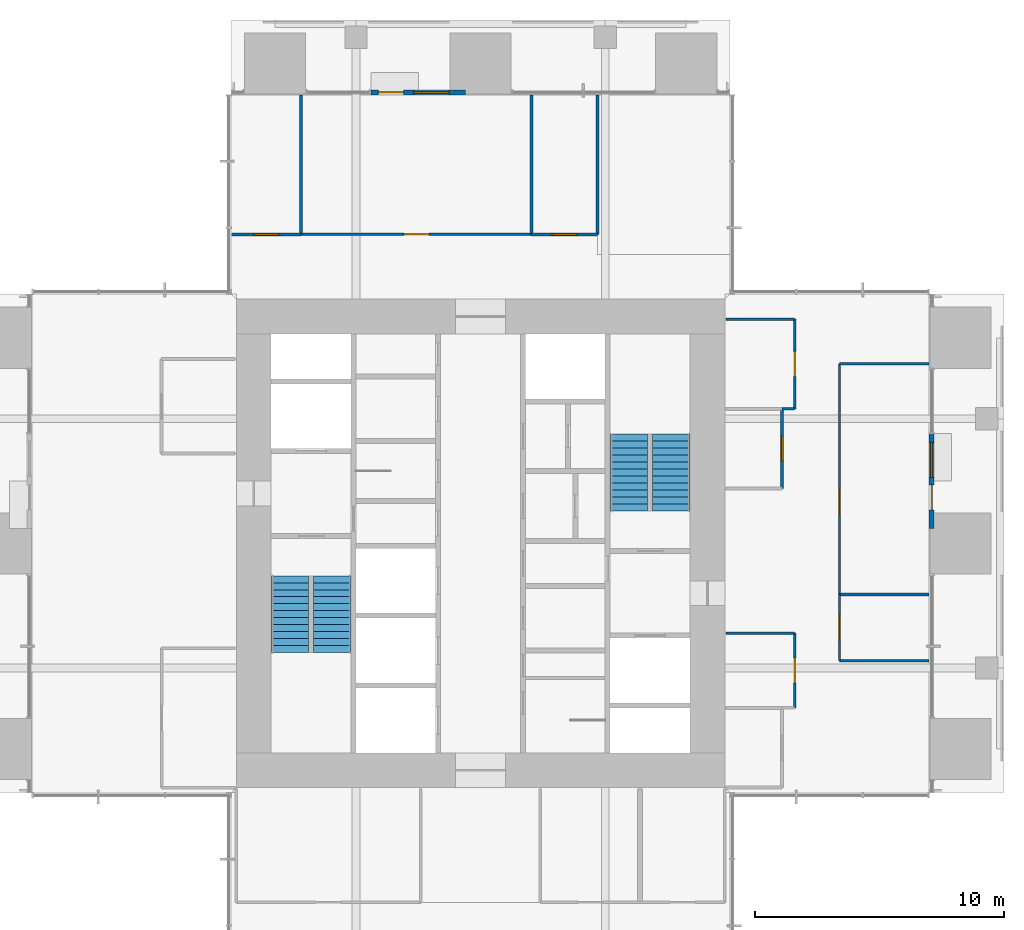
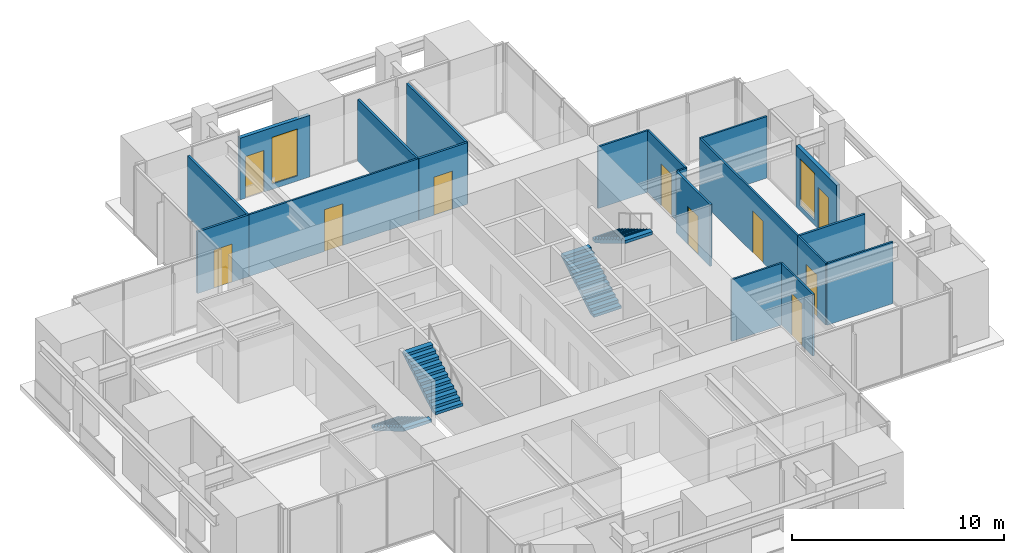
# One storey, part 14 of 17: 19 walls, 10 doors, 4 stair flights, 2 windows, 12 openings, 2 elements without a shape of their own.
"""IFC4 building model written with IfcOpenShell, lengths in metres."""

from ifc_helpers import new_model, si_unit, direction, frame, frame_2d, origin, place, context, subcontext, project, spatial, polyline, rectangle, outline, extrude, material, layer, layer_set, type_object, element, fill, aggregate, save


model = new_model("IFC4")

# Units and contexts
model_context = context("Model", 3, precision=1e-05, world=origin(), true_north=direction((0.0, 1.0)))
body_context = subcontext(model_context, "Body", "Model", "MODEL_VIEW")
ifc_project = project(units=[si_unit("LENGTHUNIT", "METRE"), si_unit("AREAUNIT", "SQUARE_METRE"), si_unit("VOLUMEUNIT", "CUBIC_METRE"), si_unit("PLANEANGLEUNIT", "RADIAN"), si_unit("MASSUNIT", "GRAM", prefix="KILO")], contexts=[model_context])

# Site, building, storey
site_placement = place(None, origin())
site = spatial("IfcSite", under=ifc_project, at=site_placement, CompositionType="ELEMENT")
building_placement = place(site_placement, origin())
building = spatial("IfcBuilding", under=site, at=building_placement, Name="Svetlomir Tower", CompositionType="ELEMENT")
storey_placement = place(building_placement, frame((0.0, 0.0, 230.5)))
storey = spatial("IfcBuildingStorey", under=building, at=storey_placement, Name="L55", CompositionType="ELEMENT", Elevation=230.5)

# Wall, openings, door, window
ifc_material_1 = material(Name="Bronze anodised aluminium glazed screen", Category="aluminium")
ifc_layer_1 = layer(ifc_material_1, 0.199951171875)
ifc_layer_set_1 = layer_set([ifc_layer_1], Name="Bronze anodised aluminium glazed screen")
wall_type_1 = type_object("IfcWallType", Name="BALCONY SCREEN WALL 200", PredefinedType="USERDEFINED", material=ifc_layer_set_1)
wall_1_placement = place(storey_placement, frame((39.10009765625, 21.60009765625, 0.0), z_axis=(0.0, 0.0, 1.0), x_axis=(0.0, 1.0, 0.0)))
wall_1 = element("IfcWall", 1, at=wall_1_placement, inside=storey, type_object=wall_type_1, Name="Balcony screen E", ObjectType="GLAZED SCREEN", PredefinedType="USERDEFINED", context=body_context, shape_type="SweptSolid", body=[
    extrude(rectangle(XDim=3.7998046875, YDim=0.199951171875, at=frame_2d((1.89990234375, 0.0))), origin(), (0.0, 0.0, 1.0), 3.550048828125),
])
opening_1_placement = place(wall_1_placement, frame((0.75, 0.0, 0.0)))
opening_1 = element("IfcOpeningElement", 2, at=opening_1_placement, cuts=wall_1, Name="Opening BD", PredefinedType="OPENING", context=body_context, shape_type="SweptSolid", body=[
    extrude(rectangle(XDim=1.0, YDim=2.39990234375, at=frame_2d((0.5, 1.199951171875))), frame((0.0, 0.10986328125, 0.0), z_axis=(0.0, -1.0, 0.0), x_axis=(1.0, 0.0, 0.0)), (0.0, 0.0, 1.0), 0.219970703125),
])
opening_2_placement = place(wall_1_placement, frame((2.050048828125, 0.0, 0.300048828125)))
opening_2 = element("IfcOpeningElement", 3, at=opening_2_placement, cuts=wall_1, Name="Opening WS2", PredefinedType="OPENING", context=body_context, shape_type="SweptSolid", body=[
    extrude(rectangle(XDim=1.39990234375, YDim=2.699951171875, at=frame_2d((0.699951171875, 1.35009765625))), frame((0.0, 0.10986328125, 0.0), z_axis=(0.0, -1.0, 0.0), x_axis=(1.0, 0.0, 0.0)), (0.0, 0.0, 1.0), 0.219970703125),
])
ifc_material_2 = material(Name="Bronze anodised aluminium glazed door", Category="aluminium")
door_type_1 = type_object("IfcDoorType", Name="BALCONY DOOR BD 1000x2400", OperationType="SINGLE_SWING_LEFT", PredefinedType="DOOR", material=ifc_material_2)
door_1_placement = place(opening_1_placement, origin())
door_1 = element("IfcDoor", 4, at=door_1_placement, inside=storey, type_object=door_type_1, Name="Balcony screen E door", OperationType="SINGLE_SWING_LEFT", OverallHeight=2.39990234375, OverallWidth=1.0, PredefinedType="DOOR", context=body_context, shape_type="SweptSolid", body=[
    extrude(rectangle(XDim=1.0, YDim=2.39990234375, at=frame_2d((0.5, 1.199951171875))), frame((0.0, 0.02490234375, 0.0), z_axis=(0.0, -1.0, 0.0), x_axis=(1.0, 0.0, 0.0)), (0.0, 0.0, 1.0), 0.050048828125),
])
fill(opening_1, door_1)
ifc_material_3 = material(Name="Bronze anodised aluminium window", Category="aluminium")
window_type = type_object("IfcWindowType", Name="SCREEN WINDOW WS2 1400x2700", PartitioningType="SINGLE_PANEL", PredefinedType="WINDOW", material=ifc_material_3)
window_1_placement = place(opening_2_placement, origin())
window_1 = element("IfcWindow", 5, at=window_1_placement, inside=storey, type_object=window_type, Name="Balcony screen E window 1", OverallHeight=2.699951171875, OverallWidth=1.39990234375, PartitioningType="SINGLE_PANEL", PredefinedType="WINDOW", context=body_context, shape_type="SweptSolid", body=[
    extrude(rectangle(XDim=1.39990234375, YDim=2.699951171875, at=frame_2d((0.699951171875, 1.35009765625))), frame((0.0, 0.030029296875, 0.0), z_axis=(0.0, -1.0, 0.0), x_axis=(1.0, 0.0, 0.0)), (0.0, 0.0, 1.0), 0.06005859375),
])
fill(opening_2, window_1)

wall_2_placement = place(storey_placement, frame((20.39990234375, 39.10009765625, 0.0), z_axis=(0.0, 0.0, 1.0), x_axis=(-1.0, 0.0, 0.0)))
wall_2 = element("IfcWall", 6, at=wall_2_placement, inside=storey, type_object=wall_type_1, Name="Balcony screen N", ObjectType="GLAZED SCREEN", PredefinedType="USERDEFINED", context=body_context, shape_type="SweptSolid", body=[
    extrude(rectangle(XDim=3.7998046875, YDim=0.199951171875, at=frame_2d((1.89990234375, 0.0))), origin(), (0.0, 0.0, 1.0), 3.550048828125),
])
opening_3_placement = place(wall_2_placement, frame((2.5, 0.0, 0.0)))
opening_3 = element("IfcOpeningElement", 7, at=opening_3_placement, cuts=wall_2, Name="Opening BD", PredefinedType="OPENING", context=body_context, shape_type="SweptSolid", body=[
    extrude(rectangle(XDim=1.0, YDim=2.39990234375, at=frame_2d((0.5, 1.199951171875))), frame((0.0, 0.10986328125, 0.0), z_axis=(0.0, -1.0, 0.0), x_axis=(1.0, 0.0, 0.0)), (0.0, 0.0, 1.0), 0.219970703125),
])
opening_4_placement = place(wall_2_placement, frame((0.675048828125, 0.0, 0.300048828125)))
opening_4 = element("IfcOpeningElement", 8, at=opening_4_placement, cuts=wall_2, Name="Opening WS2", PredefinedType="OPENING", context=body_context, shape_type="SweptSolid", body=[
    extrude(rectangle(XDim=1.39990234375, YDim=2.699951171875, at=frame_2d((0.699951171875, 1.35009765625))), frame((0.0, 0.10986328125, 0.0), z_axis=(0.0, -1.0, 0.0), x_axis=(1.0, 0.0, 0.0)), (0.0, 0.0, 1.0), 0.219970703125),
])
door_2_placement = place(opening_3_placement, origin())
door_2 = element("IfcDoor", 9, at=door_2_placement, inside=storey, type_object=door_type_1, Name="Balcony screen N door", OperationType="SINGLE_SWING_LEFT", OverallHeight=2.39990234375, OverallWidth=1.0, PredefinedType="DOOR", context=body_context, shape_type="SweptSolid", body=[
    extrude(rectangle(XDim=1.0, YDim=2.39990234375, at=frame_2d((0.5, 1.199951171875))), frame((0.0, 0.02490234375, 0.0), z_axis=(0.0, -1.0, 0.0), x_axis=(1.0, 0.0, 0.0)), (0.0, 0.0, 1.0), 0.050048828125),
])
fill(opening_3, door_2)
window_2_placement = place(opening_4_placement, origin())
window_2 = element("IfcWindow", 10, at=window_2_placement, inside=storey, type_object=window_type, Name="Balcony screen N window 1", OverallHeight=2.699951171875, OverallWidth=1.39990234375, PartitioningType="SINGLE_PANEL", PredefinedType="WINDOW", context=body_context, shape_type="SweptSolid", body=[
    extrude(rectangle(XDim=1.39990234375, YDim=2.699951171875, at=frame_2d((0.699951171875, 1.35009765625))), frame((0.0, 0.030029296875, 0.0), z_axis=(0.0, -1.0, 0.0), x_axis=(1.0, 0.0, 0.0)), (0.0, 0.0, 1.0), 0.06005859375),
])
fill(opening_4, window_2)

# Wall, opening, door
ifc_material_4 = material(Name="Framed laminated glass partition", Category="glass")
ifc_layer_2 = layer(ifc_material_4, 0.10009765625)
ifc_layer_set_2 = layer_set([ifc_layer_2], Name="Framed laminated glass partition")
wall_type_2 = type_object("IfcWallType", Name="GLAZED PARTITION 100", PredefinedType="PARTITIONING", material=ifc_layer_set_2)
wall_3_placement = place(storey_placement, frame((13.800048828125, 33.39990234375, 0.0), z_axis=(0.0, 0.0, 1.0), x_axis=(1.0, 0.0, 0.0)))
wall_3 = element("IfcWall", 11, at=wall_3_placement, inside=storey, type_object=wall_type_2, Name="Glazed partition L55", PredefinedType="PARTITIONING", context=body_context, shape_type="SweptSolid", body=[
    extrude(rectangle(XDim=9.25, YDim=0.10009765625, at=frame_2d((4.625, 0.0))), origin(), (0.0, 0.0, 1.0), 3.550048828125),
])
opening_5_placement = place(wall_3_placement, frame((4.125, 0.0, 0.0)))
opening_5 = element("IfcOpeningElement", 12, at=opening_5_placement, cuts=wall_3, Name="Opening DG", PredefinedType="OPENING", context=body_context, shape_type="SweptSolid", body=[
    extrude(rectangle(XDim=1.0, YDim=2.39990234375, at=frame_2d((0.5, 1.199951171875))), frame((0.0, 0.06005859375, 0.0), z_axis=(0.0, -1.0, 0.0), x_axis=(1.0, 0.0, 0.0)), (0.0, 0.0, 1.0), 0.1201171875),
])
ifc_material_5 = material(Name="Framed laminated glass door", Category="glass")
door_type_2 = type_object("IfcDoorType", Name="GLAZED DOOR DG 1000x2400", OperationType="SINGLE_SWING_LEFT", PredefinedType="DOOR", material=ifc_material_5)
door_3_placement = place(opening_5_placement, origin())
door_3 = element("IfcDoor", 13, at=door_3_placement, inside=storey, type_object=door_type_2, Name="Secretariat team room door L55", OperationType="SINGLE_SWING_LEFT", OverallHeight=2.39990234375, OverallWidth=1.0, PredefinedType="DOOR", context=body_context, shape_type="SweptSolid", body=[
    extrude(rectangle(XDim=1.0, YDim=2.39990234375, at=frame_2d((0.5, 1.199951171875))), frame((0.0, 0.02490234375, 0.0), z_axis=(0.0, -1.0, 0.0), x_axis=(1.0, 0.0, 0.0)), (0.0, 0.0, 1.0), 0.050048828125),
])
fill(opening_5, door_3)

# Walls
for number, where, z_axis, x_axis, name in (
    (14, (30.85009765625, 17.39990234375, 0.0), (0.0, 0.0, 1.0), (1.0, 0.0, 0.0), "Glazed partition L55"),
    (15, (30.85009765625, 30.0, 0.0), (0.0, 0.0, 1.0), (1.0, 0.0, 0.0), "Glazed partition L55"),
):
    element("IfcWall", number, at=place(storey_placement, frame(where, z_axis=z_axis, x_axis=x_axis)), inside=storey, type_object=wall_type_2, Name=name, PredefinedType="PARTITIONING", context=body_context, shape_type="SweptSolid", body=[
        extrude(rectangle(XDim=2.75, YDim=0.10009765625, at=frame_2d((1.375, 0.0))), origin(), (0.0, 0.0, 1.0), 3.550048828125),
    ])
wall_4_placement = place(storey_placement, frame((33.10009765625, 26.39990234375, 0.0), z_axis=(0.0, 0.0, 1.0), x_axis=(1.0, 0.0, 0.0)))
element("IfcWall", 16, at=wall_4_placement, inside=storey, type_object=wall_type_2, Name="Glazed partition L55", PredefinedType="PARTITIONING", context=body_context, shape_type="SweptSolid", body=[
    extrude(rectangle(XDim=0.5, YDim=0.10009765625, at=frame_2d((0.25, 0.0))), origin(), (0.0, 0.0, 1.0), 3.550048828125),
])

# Wall, opening, door
wall_5_placement = place(storey_placement, frame((33.60009765625, 14.39990234375, 0.0), z_axis=(0.0, 0.0, 1.0), x_axis=(0.0, 1.0, 0.0)))
wall_5 = element("IfcWall", 17, at=wall_5_placement, inside=storey, type_object=wall_type_2, Name="Glazed partition L55", PredefinedType="PARTITIONING", context=body_context, shape_type="SweptSolid", body=[
    extrude(rectangle(XDim=3.0, YDim=0.10009765625, at=frame_2d((1.5, 0.0))), origin(), (0.0, 0.0, 1.0), 3.550048828125),
])
opening_6_placement = place(wall_5_placement, frame((1.0, 0.0, 0.0)))
opening_6 = element("IfcOpeningElement", 18, at=opening_6_placement, cuts=wall_5, Name="Opening DG", PredefinedType="OPENING", context=body_context, shape_type="SweptSolid", body=[
    extrude(rectangle(XDim=1.0, YDim=2.39990234375, at=frame_2d((0.5, 1.199951171875))), frame((0.0, 0.06005859375, 0.0), z_axis=(0.0, -1.0, 0.0), x_axis=(1.0, 0.0, 0.0)), (0.0, 0.0, 1.0), 0.1201171875),
])
door_4_placement = place(opening_6_placement, origin())
door_4 = element("IfcDoor", 19, at=door_4_placement, inside=storey, type_object=door_type_2, Name="Phone room door L55", OperationType="SINGLE_SWING_LEFT", OverallHeight=2.39990234375, OverallWidth=1.0, PredefinedType="DOOR", context=body_context, shape_type="SweptSolid", body=[
    extrude(rectangle(XDim=1.0, YDim=2.39990234375, at=frame_2d((0.5, 1.199951171875))), frame((0.0, 0.02490234375, 0.0), z_axis=(0.0, -1.0, 0.0), x_axis=(1.0, 0.0, 0.0)), (0.0, 0.0, 1.0), 0.050048828125),
])
fill(opening_6, door_4)

wall_6_placement = place(storey_placement, frame((33.60009765625, 26.39990234375, 0.0), z_axis=(0.0, 0.0, 1.0), x_axis=(0.0, 1.0, 0.0)))
wall_6 = element("IfcWall", 20, at=wall_6_placement, inside=storey, type_object=wall_type_2, Name="Glazed partition L55", PredefinedType="PARTITIONING", context=body_context, shape_type="SweptSolid", body=[
    extrude(rectangle(XDim=3.60009765625, YDim=0.10009765625, at=frame_2d((1.800048828125, 0.0))), origin(), (0.0, 0.0, 1.0), 3.550048828125),
])
opening_7_placement = place(wall_6_placement, frame((1.300048828125, 0.0, 0.0)))
opening_7 = element("IfcOpeningElement", 21, at=opening_7_placement, cuts=wall_6, Name="Opening DG", PredefinedType="OPENING", context=body_context, shape_type="SweptSolid", body=[
    extrude(rectangle(XDim=1.0, YDim=2.39990234375, at=frame_2d((0.5, 1.199951171875))), frame((0.0, 0.06005859375, 0.0), z_axis=(0.0, -1.0, 0.0), x_axis=(1.0, 0.0, 0.0)), (0.0, 0.0, 1.0), 0.1201171875),
])
door_5_placement = place(opening_7_placement, origin())
door_5 = element("IfcDoor", 22, at=door_5_placement, inside=storey, type_object=door_type_2, Name="Meeting room, 8 seats door L55", OperationType="SINGLE_SWING_LEFT", OverallHeight=2.39990234375, OverallWidth=1.0, PredefinedType="DOOR", context=body_context, shape_type="SweptSolid", body=[
    extrude(rectangle(XDim=1.0, YDim=2.39990234375, at=frame_2d((0.5, 1.199951171875))), frame((0.0, 0.02490234375, 0.0), z_axis=(0.0, -1.0, 0.0), x_axis=(1.0, 0.0, 0.0)), (0.0, 0.0, 1.0), 0.050048828125),
])
fill(opening_7, door_5)

wall_7_placement = place(storey_placement, frame((35.39990234375, 16.300048828125, 0.0), z_axis=(0.0, 0.0, 1.0), x_axis=(0.0, 1.0, 0.0)))
wall_7 = element("IfcWall", 23, at=wall_7_placement, inside=storey, type_object=wall_type_2, Name="Glazed partition L55", PredefinedType="PARTITIONING", context=body_context, shape_type="SweptSolid", body=[
    extrude(rectangle(XDim=2.64990234375, YDim=0.10009765625, at=frame_2d((1.324951171875, 0.0))), origin(), (0.0, 0.0, 1.0), 3.550048828125),
])
opening_8_placement = place(wall_7_placement, frame((0.824951171875, 0.0, 0.0)))
opening_8 = element("IfcOpeningElement", 24, at=opening_8_placement, cuts=wall_7, Name="Opening DG", PredefinedType="OPENING", context=body_context, shape_type="SweptSolid", body=[
    extrude(rectangle(XDim=1.0, YDim=2.39990234375, at=frame_2d((0.5, 1.199951171875))), frame((0.0, 0.06005859375, 0.0), z_axis=(0.0, -1.0, 0.0), x_axis=(1.0, 0.0, 0.0)), (0.0, 0.0, 1.0), 0.1201171875),
])
door_6_placement = place(opening_8_placement, origin())
door_6 = element("IfcDoor", 25, at=door_6_placement, inside=storey, type_object=door_type_2, Name="Secretariat meeting room, 6 seats door L55", OperationType="SINGLE_SWING_RIGHT", OverallHeight=2.39990234375, OverallWidth=1.0, PredefinedType="DOOR", context=body_context, shape_type="SweptSolid", body=[
    extrude(rectangle(XDim=1.0, YDim=2.39990234375, at=frame_2d((0.5, 1.199951171875))), frame((0.0, 0.02490234375, 0.0), z_axis=(0.0, -1.0, 0.0), x_axis=(1.0, 0.0, 0.0)), (0.0, 0.0, 1.0), 0.050048828125),
])
fill(opening_8, door_6)

# Wall
wall_8_placement = place(storey_placement, frame((35.39990234375, 16.300048828125, 0.0), z_axis=(0.0, 0.0, 1.0), x_axis=(1.0, 0.0, 0.0)))
element("IfcWall", 26, at=wall_8_placement, inside=storey, type_object=wall_type_2, Name="Glazed partition L55", PredefinedType="PARTITIONING", context=body_context, shape_type="SweptSolid", body=[
    extrude(rectangle(XDim=3.60009765625, YDim=0.10009765625, at=frame_2d((1.800048828125, 0.0))), origin(), (0.0, 0.0, 1.0), 3.550048828125),
])

# Wall, opening, door
wall_9_placement = place(storey_placement, frame((35.39990234375, 18.949951171875, 0.0), z_axis=(0.0, 0.0, 1.0), x_axis=(0.0, 1.0, 0.0)))
wall_9 = element("IfcWall", 27, at=wall_9_placement, inside=storey, type_object=wall_type_2, Name="Glazed partition L55", PredefinedType="PARTITIONING", context=body_context, shape_type="SweptSolid", body=[
    extrude(rectangle(XDim=9.25, YDim=0.10009765625, at=frame_2d((4.625, 0.0))), origin(), (0.0, 0.0, 1.0), 3.550048828125),
])
opening_9_placement = place(wall_9_placement, frame((3.22509765625, 0.0, 0.0)))
opening_9 = element("IfcOpeningElement", 28, at=opening_9_placement, cuts=wall_9, Name="Opening DG", PredefinedType="OPENING", context=body_context, shape_type="SweptSolid", body=[
    extrude(rectangle(XDim=1.0, YDim=2.39990234375, at=frame_2d((0.5, 1.199951171875))), frame((0.0, 0.06005859375, 0.0), z_axis=(0.0, -1.0, 0.0), x_axis=(1.0, 0.0, 0.0)), (0.0, 0.0, 1.0), 0.1201171875),
])
door_7_placement = place(opening_9_placement, origin())
door_7 = element("IfcDoor", 29, at=door_7_placement, inside=storey, type_object=door_type_2, Name="Loggia break-out and kitchenette door L55", OperationType="SINGLE_SWING_RIGHT", OverallHeight=2.39990234375, OverallWidth=1.0, PredefinedType="DOOR", context=body_context, shape_type="SweptSolid", body=[
    extrude(rectangle(XDim=1.0, YDim=2.39990234375, at=frame_2d((0.5, 1.199951171875))), frame((0.0, 0.02490234375, 0.0), z_axis=(0.0, -1.0, 0.0), x_axis=(1.0, 0.0, 0.0)), (0.0, 0.0, 1.0), 0.050048828125),
])
fill(opening_9, door_7)

# Wall
wall_10_placement = place(storey_placement, frame((35.39990234375, 28.199951171875, 0.0), z_axis=(0.0, 0.0, 1.0), x_axis=(1.0, 0.0, 0.0)))
element("IfcWall", 30, at=wall_10_placement, inside=storey, type_object=wall_type_2, Name="Glazed partition L55", PredefinedType="PARTITIONING", context=body_context, shape_type="SweptSolid", body=[
    extrude(rectangle(XDim=3.60009765625, YDim=0.10009765625, at=frame_2d((1.800048828125, 0.0))), origin(), (0.0, 0.0, 1.0), 3.550048828125),
])

# Wall, opening, door
ifc_material_6 = material(Name="Gypsum board on steel studs", Category="steel")
ifc_layer_3 = layer(ifc_material_6, 0.1201171875)
ifc_layer_set_3 = layer_set([ifc_layer_3], Name="Gypsum board on steel studs")
wall_type_3 = type_object("IfcWallType", Name="PARTITION 120", PredefinedType="PARTITIONING", material=ifc_layer_set_3)
wall_11_placement = place(storey_placement, frame((11.0, 33.39990234375, 0.0), z_axis=(0.0, 0.0, 1.0), x_axis=(1.0, 0.0, 0.0)))
wall_11 = element("IfcWall", 31, at=wall_11_placement, inside=storey, type_object=wall_type_3, Name="Partition L55", PredefinedType="PARTITIONING", context=body_context, shape_type="SweptSolid", body=[
    extrude(rectangle(XDim=2.800048828125, YDim=0.1201171875, at=frame_2d((1.39990234375, 0.0))), origin(), (0.0, 0.0, 1.0), 3.550048828125),
])
opening_10_placement = place(wall_11_placement, frame((0.89990234375, 0.0, 0.0)))
opening_10 = element("IfcOpeningElement", 32, at=opening_10_placement, cuts=wall_11, Name="Opening DR", PredefinedType="OPENING", context=body_context, shape_type="SweptSolid", body=[
    extrude(rectangle(XDim=1.0, YDim=2.199951171875, at=frame_2d((0.5, 1.10009765625))), frame((0.0, 0.070068359375, 0.0), z_axis=(0.0, -1.0, 0.0), x_axis=(1.0, 0.0, 0.0)), (0.0, 0.0, 1.0), 0.14013671875),
])
ifc_material_7 = material(Name="Timber door, glazed side light", Category="wood")
door_type_3 = type_object("IfcDoorType", Name="DOOR DR 1000x2200", OperationType="SINGLE_SWING_LEFT", PredefinedType="DOOR", material=ifc_material_7)
door_8_placement = place(opening_10_placement, origin())
door_8 = element("IfcDoor", 33, at=door_8_placement, inside=storey, type_object=door_type_3, Name="Company secretary office door L55", OperationType="SINGLE_SWING_RIGHT", OverallHeight=2.199951171875, OverallWidth=1.0, PredefinedType="DOOR", context=body_context, shape_type="SweptSolid", body=[
    extrude(rectangle(XDim=1.0, YDim=2.199951171875, at=frame_2d((0.5, 1.10009765625))), frame((0.0, 0.02490234375, 0.0), z_axis=(0.0, -1.0, 0.0), x_axis=(1.0, 0.0, 0.0)), (0.0, 0.0, 1.0), 0.050048828125),
])
fill(opening_10, door_8)

# Walls
for number, where, z_axis, x_axis, name in (
    (34, (13.800048828125, 33.39990234375, 0.0), (0.0, 0.0, 1.0), (0.0, 1.0, 0.0), "Partition L55"),
    (35, (23.050048828125, 33.39990234375, 0.0), (0.0, 0.0, 1.0), (0.0, 1.0, 0.0), "Partition L55"),
):
    element("IfcWall", number, at=place(storey_placement, frame(where, z_axis=z_axis, x_axis=x_axis)), inside=storey, type_object=wall_type_3, Name=name, PredefinedType="PARTITIONING", context=body_context, shape_type="SweptSolid", body=[
        extrude(rectangle(XDim=5.60009765625, YDim=0.1201171875, at=frame_2d((2.800048828125, 0.0))), origin(), (0.0, 0.0, 1.0), 3.550048828125),
    ])

# Wall, opening, door
wall_12_placement = place(storey_placement, frame((23.050048828125, 33.39990234375, 0.0), z_axis=(0.0, 0.0, 1.0), x_axis=(1.0, 0.0, 0.0)))
wall_12 = element("IfcWall", 36, at=wall_12_placement, inside=storey, type_object=wall_type_3, Name="Partition L55", PredefinedType="PARTITIONING", context=body_context, shape_type="SweptSolid", body=[
    extrude(rectangle(XDim=2.64990234375, YDim=0.1201171875, at=frame_2d((1.324951171875, 0.0))), origin(), (0.0, 0.0, 1.0), 3.550048828125),
])
opening_11_placement = place(wall_12_placement, frame((0.824951171875, 0.0, 0.0)))
opening_11 = element("IfcOpeningElement", 37, at=opening_11_placement, cuts=wall_12, Name="Opening DR", PredefinedType="OPENING", context=body_context, shape_type="SweptSolid", body=[
    extrude(rectangle(XDim=1.0, YDim=2.199951171875, at=frame_2d((0.5, 1.10009765625))), frame((0.0, 0.070068359375, 0.0), z_axis=(0.0, -1.0, 0.0), x_axis=(1.0, 0.0, 0.0)), (0.0, 0.0, 1.0), 0.14013671875),
])
door_9_placement = place(opening_11_placement, origin())
door_9 = element("IfcDoor", 38, at=door_9_placement, inside=storey, type_object=door_type_3, Name="Chief of staff office door L55", OperationType="SINGLE_SWING_RIGHT", OverallHeight=2.199951171875, OverallWidth=1.0, PredefinedType="DOOR", context=body_context, shape_type="SweptSolid", body=[
    extrude(rectangle(XDim=1.0, YDim=2.199951171875, at=frame_2d((0.5, 1.10009765625))), frame((0.0, 0.02490234375, 0.0), z_axis=(0.0, -1.0, 0.0), x_axis=(1.0, 0.0, 0.0)), (0.0, 0.0, 1.0), 0.050048828125),
])
fill(opening_11, door_9)

# Wall
wall_13_placement = place(storey_placement, frame((25.699951171875, 33.39990234375, 0.0), z_axis=(0.0, 0.0, 1.0), x_axis=(0.0, 1.0, 0.0)))
element("IfcWall", 39, at=wall_13_placement, inside=storey, type_object=wall_type_3, Name="Partition L55", PredefinedType="PARTITIONING", context=body_context, shape_type="SweptSolid", body=[
    extrude(rectangle(XDim=5.60009765625, YDim=0.1201171875, at=frame_2d((2.800048828125, 0.0))), origin(), (0.0, 0.0, 1.0), 3.550048828125),
])

# Wall, opening, door
wall_14_placement = place(storey_placement, frame((33.10009765625, 23.199951171875, 0.0), z_axis=(0.0, 0.0, 1.0), x_axis=(0.0, 1.0, 0.0)))
wall_14 = element("IfcWall", 40, at=wall_14_placement, inside=storey, type_object=wall_type_3, Name="Partition L55", PredefinedType="PARTITIONING", context=body_context, shape_type="SweptSolid", body=[
    extrude(rectangle(XDim=3.199951171875, YDim=0.1201171875, at=frame_2d((1.60009765625, 0.0))), origin(), (0.0, 0.0, 1.0), 3.550048828125),
])
opening_12_placement = place(wall_14_placement, frame((1.10009765625, 0.0, 0.0)))
opening_12 = element("IfcOpeningElement", 41, at=opening_12_placement, cuts=wall_14, Name="Opening DR", PredefinedType="OPENING", context=body_context, shape_type="SweptSolid", body=[
    extrude(rectangle(XDim=1.0, YDim=2.199951171875, at=frame_2d((0.5, 1.10009765625))), frame((0.0, 0.070068359375, 0.0), z_axis=(0.0, -1.0, 0.0), x_axis=(1.0, 0.0, 0.0)), (0.0, 0.0, 1.0), 0.14013671875),
])
door_10_placement = place(opening_12_placement, origin())
door_10 = element("IfcDoor", 42, at=door_10_placement, inside=storey, type_object=door_type_3, Name="Secure store door L55", OperationType="SINGLE_SWING_RIGHT", OverallHeight=2.199951171875, OverallWidth=1.0, PredefinedType="DOOR", context=body_context, shape_type="SweptSolid", body=[
    extrude(rectangle(XDim=1.0, YDim=2.199951171875, at=frame_2d((0.5, 1.10009765625))), frame((0.0, 0.02490234375, 0.0), z_axis=(0.0, -1.0, 0.0), x_axis=(1.0, 0.0, 0.0)), (0.0, 0.0, 1.0), 0.050048828125),
])
fill(opening_12, door_10)

# Wall
wall_15_placement = place(storey_placement, frame((35.39990234375, 18.949951171875, 0.0), z_axis=(0.0, 0.0, 1.0), x_axis=(1.0, 0.0, 0.0)))
element("IfcWall", 43, at=wall_15_placement, inside=storey, type_object=wall_type_3, Name="Partition L55", PredefinedType="PARTITIONING", context=body_context, shape_type="SweptSolid", body=[
    extrude(rectangle(XDim=3.60009765625, YDim=0.1201171875, at=frame_2d((1.800048828125, 0.0))), origin(), (0.0, 0.0, 1.0), 3.550048828125),
])

# Stair, stair flights
ifc_material_8 = material(Name="Concrete C60/75", Category="concrete")
stair_type = type_object("IfcStairType", Name="EXIT STAIR 3200 RISE 4000", PredefinedType="HALF_TURN_STAIR", material=ifc_material_8)
stair_1_placement = place(storey_placement, origin())
stair_1 = element("IfcStair", 44, at=stair_1_placement, inside=storey, type_object=stair_type, Name="Stair S1 L55 to L56", PredefinedType="HALF_TURN_STAIR")
ifc_material_9 = material(Name="Concrete C60/75", Category="concrete")
stair_flight_type = type_object("IfcStairFlightType", Name="STAIR FLIGHT 1500 OF 12 RISERS", PredefinedType="STRAIGHT", material=ifc_material_9)
stair_flight_1_placement = place(storey_placement, frame((13.35009765625, 19.699951171875, 0.0), z_axis=(0.0, 0.0, 1.0), x_axis=(0.0, -1.0, 0.0)))
stair_flight_1 = element("IfcStairFlight", 45, at=stair_flight_1_placement, type_object=stair_flight_type, Name="S1 flight 1", NumberOfRisers=12, NumberOfTreads=11, PredefinedType="STRAIGHT", RiserHeight=0.166666667, TreadLength=0.28, context=body_context, shape_type="SweptSolid", body=[
    extrude(outline(polyline([(0.0, 0.0), (0.0, 0.166748046875), (0.280029296875, 0.166748046875), (0.280029296875, 0.333251953125), (0.56005859375, 0.333251953125), (0.56005859375, 0.5), (0.840087890625, 0.5), (0.840087890625, 0.666748046875), (1.1201171875, 0.666748046875), (1.1201171875, 0.833251953125), (1.39990234375, 0.833251953125), (1.39990234375, 1.0), (1.679931640625, 1.0), (1.679931640625, 1.166748046875), (1.9599609375, 1.166748046875), (1.9599609375, 1.333251953125), (2.239990234375, 1.333251953125), (2.239990234375, 1.5), (2.52001953125, 1.5), (2.52001953125, 1.666748046875), (2.800048828125, 1.666748046875), (2.800048828125, 1.833251953125), (3.080078125, 1.833251953125), (3.080078125, 2.0), (3.080078125, 1.658935546875), (0.29296875, 0.0), (0.0, 0.0)])), frame((0.0, 0.75, 0.0), z_axis=(0.0, -1.0, 0.0), x_axis=(1.0, 0.0, 0.0)), (0.0, 0.0, 1.0), 1.5),
])
stair_flight_2_placement = place(storey_placement, frame((15.050048828125, 16.6201171875, 2.0), z_axis=(0.0, 0.0, 1.0), x_axis=(0.0, 1.0, 0.0)))
stair_flight_2 = element("IfcStairFlight", 46, at=stair_flight_2_placement, type_object=stair_flight_type, Name="S1 flight 2", NumberOfRisers=12, NumberOfTreads=11, PredefinedType="STRAIGHT", RiserHeight=0.166666667, TreadLength=0.28, context=body_context, shape_type="SweptSolid", body=[
    extrude(outline(polyline([(0.0, 0.0), (0.0, 0.166748046875), (0.280029296875, 0.166748046875), (0.280029296875, 0.333251953125), (0.56005859375, 0.333251953125), (0.56005859375, 0.5), (0.840087890625, 0.5), (0.840087890625, 0.666748046875), (1.1201171875, 0.666748046875), (1.1201171875, 0.833251953125), (1.39990234375, 0.833251953125), (1.39990234375, 1.0), (1.679931640625, 1.0), (1.679931640625, 1.166748046875), (1.9599609375, 1.166748046875), (1.9599609375, 1.333251953125), (2.239990234375, 1.333251953125), (2.239990234375, 1.5), (2.52001953125, 1.5), (2.52001953125, 1.666748046875), (2.800048828125, 1.666748046875), (2.800048828125, 1.833251953125), (3.080078125, 1.833251953125), (3.080078125, 2.0), (3.080078125, 1.658935546875), (0.29296875, 0.0), (0.0, 0.0)])), frame((0.0, 0.75, 0.0), z_axis=(0.0, -1.0, 0.0), x_axis=(1.0, 0.0, 0.0)), (0.0, 0.0, 1.0), 1.5),
])
aggregate(stair_1, [stair_flight_1, stair_flight_2])

stair_2_placement = place(storey_placement, origin())
stair_2 = element("IfcStair", 47, at=stair_2_placement, inside=storey, type_object=stair_type, Name="Stair S2 L55 to L56", PredefinedType="HALF_TURN_STAIR")
stair_flight_3_placement = place(storey_placement, frame((26.949951171875, 22.300048828125, 0.0), z_axis=(0.0, 0.0, 1.0), x_axis=(0.0, 1.0, 0.0)))
stair_flight_3 = element("IfcStairFlight", 48, at=stair_flight_3_placement, type_object=stair_flight_type, Name="S2 flight 1", NumberOfRisers=12, NumberOfTreads=11, PredefinedType="STRAIGHT", RiserHeight=0.166666667, TreadLength=0.28, context=body_context, shape_type="SweptSolid", body=[
    extrude(outline(polyline([(0.0, 0.0), (0.0, 0.166748046875), (0.280029296875, 0.166748046875), (0.280029296875, 0.333251953125), (0.56005859375, 0.333251953125), (0.56005859375, 0.5), (0.840087890625, 0.5), (0.840087890625, 0.666748046875), (1.1201171875, 0.666748046875), (1.1201171875, 0.833251953125), (1.39990234375, 0.833251953125), (1.39990234375, 1.0), (1.679931640625, 1.0), (1.679931640625, 1.166748046875), (1.9599609375, 1.166748046875), (1.9599609375, 1.333251953125), (2.239990234375, 1.333251953125), (2.239990234375, 1.5), (2.52001953125, 1.5), (2.52001953125, 1.666748046875), (2.800048828125, 1.666748046875), (2.800048828125, 1.833251953125), (3.080078125, 1.833251953125), (3.080078125, 2.0), (3.080078125, 1.658935546875), (0.29296875, 0.0), (0.0, 0.0)])), frame((0.0, 0.75, 0.0), z_axis=(0.0, -1.0, 0.0), x_axis=(1.0, 0.0, 0.0)), (0.0, 0.0, 1.0), 1.5),
])
stair_flight_4_placement = place(storey_placement, frame((28.64990234375, 25.3798828125, 2.0), z_axis=(0.0, 0.0, 1.0), x_axis=(0.0, -1.0, 0.0)))
stair_flight_4 = element("IfcStairFlight", 49, at=stair_flight_4_placement, type_object=stair_flight_type, Name="S2 flight 2", NumberOfRisers=12, NumberOfTreads=11, PredefinedType="STRAIGHT", RiserHeight=0.166666667, TreadLength=0.28, context=body_context, shape_type="SweptSolid", body=[
    extrude(outline(polyline([(0.0, 0.0), (0.0, 0.166748046875), (0.280029296875, 0.166748046875), (0.280029296875, 0.333251953125), (0.56005859375, 0.333251953125), (0.56005859375, 0.5), (0.840087890625, 0.5), (0.840087890625, 0.666748046875), (1.1201171875, 0.666748046875), (1.1201171875, 0.833251953125), (1.39990234375, 0.833251953125), (1.39990234375, 1.0), (1.679931640625, 1.0), (1.679931640625, 1.166748046875), (1.9599609375, 1.166748046875), (1.9599609375, 1.333251953125), (2.239990234375, 1.333251953125), (2.239990234375, 1.5), (2.52001953125, 1.5), (2.52001953125, 1.666748046875), (2.800048828125, 1.666748046875), (2.800048828125, 1.833251953125), (3.080078125, 1.833251953125), (3.080078125, 2.0), (3.080078125, 1.658935546875), (0.29296875, 0.0), (0.0, 0.0)])), frame((0.0, 0.75, 0.0), z_axis=(0.0, -1.0, 0.0), x_axis=(1.0, 0.0, 0.0)), (0.0, 0.0, 1.0), 1.5),
])
aggregate(stair_2, [stair_flight_3, stair_flight_4])

save(model, "model.ifc")
